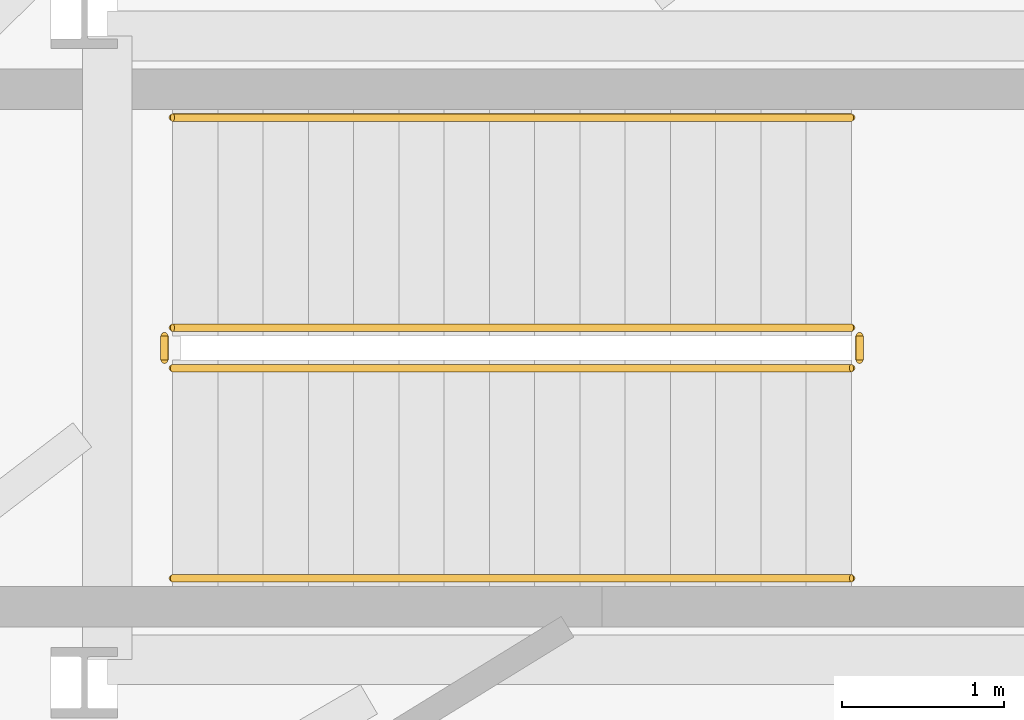
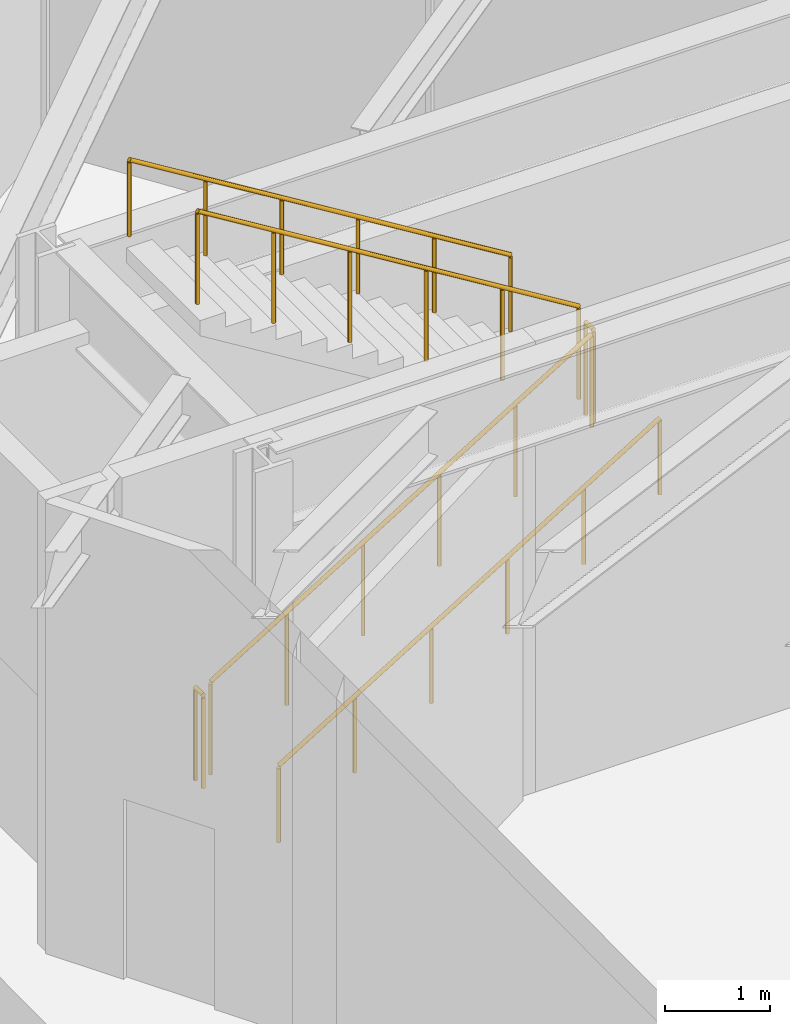
# One storey, part 30 of 30: 6 railings.
"""IFC4 building model written with IfcOpenShell, lengths in metres."""

import ifcopenshell
import ifcopenshell.guid

model = None  # the IFC model being written
_history = None  # IfcOwnerHistory: only IFC2X3 demands one
_inside = {}  # id of a spatial element -> (the spatial element, [elements in it])
_under = {}  # id of a project, library or spatial element -> (it, [spatial elements below it])
_declared = {}  # id of a project -> (the project, [libraries it declares])
_typed = {}  # id of a type object -> (the type object, [elements of that type])
_made_of = {}  # id of a material, layer set ... -> (it, [elements and type objects made of it])


def new_model(schema):
    """Start an empty IFC model of exactly this schema.

    Asked for "IFC4X3", IfcOpenShell would pick the latest addendum, in which some entities
    have other attributes; the version numbers below select the first issue.
    IFC2X3 requires an IfcOwnerHistory on every rooted entity: one is made here for all.
    """
    global model, _history
    if schema == "IFC4X3":
        model = ifcopenshell.file(schema_version=(4, 3, 0, 0))
    else:
        model = ifcopenshell.file(schema=schema)
    _inside.clear()
    _under.clear()
    _declared.clear()
    _typed.clear()
    _made_of.clear()
    _history = None
    if model.schema == "IFC2X3":
        org = make("IfcOrganization", Name="unknown")
        user = make(
            "IfcPersonAndOrganization",
            ThePerson=make("IfcPerson", FamilyName="unknown"),
            TheOrganization=org,
        )
        app = make(
            "IfcApplication",
            ApplicationDeveloper=org,
            Version="unknown",
            ApplicationFullName="unknown",
            ApplicationIdentifier="unknown",
        )
        _history = make(
            "IfcOwnerHistory",
            OwningUser=user,
            OwningApplication=app,
            ChangeAction="ADDED",
            CreationDate=0,
        )
    return model


def make(cls, **values):
    """One entity of the class cls with the attributes given. An attribute that is None is left unset."""
    return model.create_entity(
        cls, **{name: value for name, value in values.items() if value is not None}
    )


def rooted(cls, **values):
    """An entity with a GlobalId (a new one), such as an element, a storey or a relation."""
    return make(cls, GlobalId=ifcopenshell.guid.new(), OwnerHistory=_history, **values)


def si_unit(unit_type, name, prefix=None):
    """IfcSIUnit, for example si_unit("LENGTHUNIT", "METRE", prefix="MILLI")."""
    return make("IfcSIUnit", UnitType=unit_type, Prefix=prefix, Name=name)


def assignment(units):
    """IfcUnitAssignment: the units of a project."""
    return None if units is None else make("IfcUnitAssignment", Units=units)


def point(xyz):
    """IfcCartesianPoint."""
    return None if xyz is None else make("IfcCartesianPoint", Coordinates=xyz)


def direction(xyz):
    """IfcDirection."""
    return None if xyz is None else make("IfcDirection", DirectionRatios=xyz)


def frame(location, z_axis=None, x_axis=None):
    """IfcAxis2Placement3D, a coordinate frame: its origin and axes. An axis left out is left unset."""
    return make(
        "IfcAxis2Placement3D",
        Location=point(location),
        Axis=direction(z_axis),
        RefDirection=direction(x_axis),
    )


def frame_2d(location, x_axis=None):
    """IfcAxis2Placement2D, a coordinate frame in the plane: its origin and x axis."""
    return make(
        "IfcAxis2Placement2D", Location=point(location), RefDirection=direction(x_axis)
    )


def origin():
    """The frame at (0, 0, 0) with its axes left unset."""
    return frame((0.0, 0.0, 0.0))


def origin_2d():
    """The frame at (0, 0) in the plane with its x axis left unset."""
    return frame_2d((0.0, 0.0))


def place(relative_to, where):
    """IfcLocalPlacement: puts the frame where relative to a parent placement (None: the world)."""
    return make(
        "IfcLocalPlacement", PlacementRelTo=relative_to, RelativePlacement=where
    )


def context(
    kind, dimensions, precision=None, world=None, true_north=None, identifier=None
):
    """IfcGeometricRepresentationContext, for example the 3D "Model" context."""
    return make(
        "IfcGeometricRepresentationContext",
        ContextIdentifier=identifier,
        ContextType=kind,
        CoordinateSpaceDimension=dimensions,
        Precision=precision,
        WorldCoordinateSystem=world,
        TrueNorth=true_north,
    )


def subcontext(parent, identifier, kind, view, scale=None):
    """IfcGeometricRepresentationSubContext, for example "Body" below "Model"."""
    return make(
        "IfcGeometricRepresentationSubContext",
        ContextIdentifier=identifier,
        ContextType=kind,
        ParentContext=parent,
        TargetScale=scale,
        TargetView=view,
    )


def project(units=None, contexts=None):
    """IfcProject with its units and contexts."""
    return rooted(
        "IfcProject",
        Name="project",
        RepresentationContexts=contexts,
        UnitsInContext=assignment(units),
    )


def spatial(cls, under=None, at=None, **own):
    """A site, building, storey or space (cls), placed at a placement, below another one or the project."""
    s = rooted(cls, ObjectPlacement=at, **own)
    if under is not None:
        _under.setdefault(under.id(), (under, []))[1].append(s)
    return s


def profile(cls, at=None, kind="AREA", **sizes):
    """A parametric profile (cls). Its sizes go by their IFC names, for example OverallWidth=200.0."""
    return make(cls, ProfileType=kind, Position=at, **sizes)


def circle(**sizes):
    """IfcCircleProfileDef."""
    return profile("IfcCircleProfileDef", **sizes)


def extrude(swept, where, along, depth):
    """IfcExtrudedAreaSolid: the profile swept, set in the frame where, extruded along a direction by depth."""
    return make(
        "IfcExtrudedAreaSolid",
        SweptArea=swept,
        Position=where,
        ExtrudedDirection=direction(along),
        Depth=depth,
    )


def shape(context_of_items, identifier, shape_type, items):
    """IfcShapeRepresentation: the items that make up one representation, for example the "Body"."""
    return make(
        "IfcShapeRepresentation",
        ContextOfItems=context_of_items,
        RepresentationIdentifier=identifier,
        RepresentationType=shape_type,
        Items=items,
    )


def material(Name=None, Category=None):
    """IfcMaterial."""
    return make("IfcMaterial", Name=Name, Category=Category)


def made_of(thing, what):
    """Note that an element or type object is made of a material, layer set ...; save() writes the relation."""
    if what is not None:
        _made_of.setdefault(what.id(), (what, []))[1].append(thing)
    return thing


def type_object(cls, material=None, **own):
    """A type object (cls), such as IfcWallType, which elements share."""
    return made_of(rooted(cls, **own), material)


def element(
    cls,
    number,
    at=None,
    inside=None,
    cuts=None,
    type_object=None,
    material=None,
    context=None,
    identifier="Body",
    shape_type=None,
    held_by="IfcProductDefinitionShape",
    body=None,
    shapes=None,
    **own,
):
    """One element of the class cls, such as IfcWall. Its Tag is "e" and its number.

    at: its placement. inside: the storey or other place that contains it. cuts: it is an
    opening in that element (IfcRelVoidsElement). A single representation is given by context,
    identifier, shape_type and body (its items); several are given by shapes. held_by: the class
    of the entity that holds the representations. save() writes the other relations.
    """
    e = rooted(cls, Tag="e%d" % number, ObjectPlacement=at, **own)
    if body is not None:
        shapes = [shape(context, identifier, shape_type, body)]
    if shapes is not None:
        e.Representation = make(held_by, Representations=shapes)
    if inside is not None:
        _inside.setdefault(inside.id(), (inside, []))[1].append(e)
    if cuts is not None:
        rooted(
            "IfcRelVoidsElement", RelatingBuildingElement=cuts, RelatedOpeningElement=e
        )
    if type_object is not None:
        _typed.setdefault(type_object.id(), (type_object, []))[1].append(e)
    return made_of(e, material)


def aggregate(whole, parts):
    """IfcRelAggregates: a whole, such as a stair, and the parts it consists of."""
    return rooted("IfcRelAggregates", RelatingObject=whole, RelatedObjects=parts)


def save(model, path):
    """Write the relations noted so far, then the file.

    IfcRelAggregates (storeys below a building ...), IfcRelContainedInSpatialStructure (elements
    in a storey), IfcRelDefinesByType, IfcRelAssociatesMaterial and IfcRelDeclares: one each for
    every whole, place, type object, material and project.
    """
    for whole, parts in _under.values():
        aggregate(whole, parts)
    for where, things in _inside.values():
        rooted(
            "IfcRelContainedInSpatialStructure",
            RelatedElements=things,
            RelatingStructure=where,
        )
    for kind, things in _typed.values():
        rooted("IfcRelDefinesByType", RelatedObjects=things, RelatingType=kind)
    for what, things in _made_of.values():
        rooted("IfcRelAssociatesMaterial", RelatedObjects=things, RelatingMaterial=what)
    for by, libraries in _declared.values():
        rooted("IfcRelDeclares", RelatingContext=by, RelatedDefinitions=libraries)
    model.write(path)


model = new_model("IFC4")

# Units and contexts
model_context = context("Model", 3, precision=1e-05, world=origin(), true_north=direction((0.0, 1.0)))
body_context = subcontext(model_context, "Body", "Model", "MODEL_VIEW")
ifc_project = project(units=[si_unit("LENGTHUNIT", "METRE"), si_unit("AREAUNIT", "SQUARE_METRE"), si_unit("VOLUMEUNIT", "CUBIC_METRE"), si_unit("PLANEANGLEUNIT", "RADIAN"), si_unit("MASSUNIT", "GRAM", prefix="KILO")], contexts=[model_context])

# Site, building, storey
site_placement = place(None, origin())
site = spatial("IfcSite", under=ifc_project, at=site_placement, CompositionType="ELEMENT")
building_placement = place(site_placement, origin())
building = spatial("IfcBuilding", under=site, at=building_placement, Name="Tarnside Tower", CompositionType="ELEMENT")
storey_placement = place(building_placement, frame((0.0, 0.0, 20.5)))
storey = spatial("IfcBuildingStorey", under=building, at=storey_placement, Name="L03", CompositionType="ELEMENT", Elevation=20.5)

# Railings
ifc_material = material(Name="Stainless steel", Category="steel")
railing_type_1 = type_object("IfcRailingType", Name="Podium stair guard 1100", PredefinedType="GUARDRAIL", material=ifc_material)
railing_1_placement = place(storey_placement, frame((15.7900390625, 12.824951171875, 0.171875)))
element("IfcRailing", 1, at=railing_1_placement, inside=storey, type_object=railing_type_1, Name="L03 PS4 stair guard 1", PredefinedType="GUARDRAIL", context=body_context, shape_type="SweptSolid", body=[
    extrude(circle(Radius=0.02392578125, at=origin_2d()), frame((0.0, 0.0, 1.076171875), z_axis=(0.852242915053, 0.0, 0.523146264196), x_axis=(0.0, 1.0, 0.0)), (0.0, 0.0, 1.0), 4.92822265625),
    extrude(circle(Radius=0.02099609375, at=origin_2d()), origin(), (0.0, 0.0, 1.0), 1.052001953125),
    extrude(circle(Radius=0.02099609375, at=origin_2d()), frame((0.840087890625, 0.0, 0.515625)), (0.0, 0.0, 1.0), 1.052001953125),
    extrude(circle(Radius=0.02099609375, at=origin_2d()), frame((1.679931640625, 0.0, 1.03125)), (0.0, 0.0, 1.0), 1.052001953125),
    extrude(circle(Radius=0.02099609375, at=origin_2d()), frame((2.52001953125, 0.0, 1.546875)), (0.0, 0.0, 1.0), 1.052001953125),
    extrude(circle(Radius=0.02099609375, at=origin_2d()), frame((3.35986328125, 0.0, 2.0625)), (0.0, 0.0, 1.0), 1.052001953125),
    extrude(circle(Radius=0.02099609375, at=origin_2d()), frame((4.199951171875, 0.0, 2.578125)), (0.0, 0.0, 1.0), 1.052001953125),
])
railing_2_placement = place(storey_placement, frame((20.0400390625, 12.875, 2.75)))
element("IfcRailing", 2, at=railing_2_placement, inside=storey, type_object=railing_type_1, Name="L03 PS4 stair guard 2", PredefinedType="GUARDRAIL", context=body_context, shape_type="SweptSolid", body=[
    extrude(circle(Radius=0.02392578125, at=origin_2d()), frame((0.0, 0.0, 1.076171875), z_axis=(0.0, 1.0, 0.0), x_axis=(-1.0, 0.0, 0.0)), (0.0, 0.0, 1.0), 0.14990234375),
    extrude(circle(Radius=0.02099609375, at=origin_2d()), origin(), (0.0, 0.0, 1.0), 1.052001953125),
    extrude(circle(Radius=0.02099609375, at=origin_2d()), frame((0.0, 0.14990234375, 0.0)), (0.0, 0.0, 1.0), 1.052001953125),
])
railing_3_placement = place(storey_placement, frame((19.989990234375, 13.074951171875, 2.921875)))
element("IfcRailing", 3, at=railing_3_placement, inside=storey, type_object=railing_type_1, Name="L03 PS4 stair guard 3", PredefinedType="GUARDRAIL", context=body_context, shape_type="SweptSolid", body=[
    extrude(circle(Radius=0.02392578125, at=origin_2d()), frame((0.0, 0.0, 1.076171875), z_axis=(-0.852242915053, 0.0, 0.523146264196), x_axis=(0.0, -1.0, 0.0)), (0.0, 0.0, 1.0), 4.92822265625),
    extrude(circle(Radius=0.02099609375, at=origin_2d()), origin(), (0.0, 0.0, 1.0), 1.052001953125),
    extrude(circle(Radius=0.02099609375, at=origin_2d()), frame((-0.840087890625, 0.0, 0.515625)), (0.0, 0.0, 1.0), 1.052001953125),
    extrude(circle(Radius=0.02099609375, at=origin_2d()), frame((-1.679931640625, 0.0, 1.03125)), (0.0, 0.0, 1.0), 1.052001953125),
    extrude(circle(Radius=0.02099609375, at=origin_2d()), frame((-2.52001953125, 0.0, 1.546875)), (0.0, 0.0, 1.0), 1.052001953125),
    extrude(circle(Radius=0.02099609375, at=origin_2d()), frame((-3.35986328125, 0.0, 2.0625)), (0.0, 0.0, 1.0), 1.052001953125),
    extrude(circle(Radius=0.02099609375, at=origin_2d()), frame((-4.199951171875, 0.0, 2.578125)), (0.0, 0.0, 1.0), 1.052001953125),
])
railing_4_placement = place(storey_placement, frame((15.739990234375, 12.875, 0.0)))
element("IfcRailing", 4, at=railing_4_placement, inside=storey, type_object=railing_type_1, Name="L03 PS4 stair guard 4", PredefinedType="GUARDRAIL", context=body_context, shape_type="SweptSolid", body=[
    extrude(circle(Radius=0.02392578125, at=origin_2d()), frame((0.0, 0.0, 1.076171875), z_axis=(0.0, 1.0, 0.0), x_axis=(-1.0, 0.0, 0.0)), (0.0, 0.0, 1.0), 0.14990234375),
    extrude(circle(Radius=0.02099609375, at=origin_2d()), origin(), (0.0, 0.0, 1.0), 1.052001953125),
    extrude(circle(Radius=0.02099609375, at=origin_2d()), frame((0.0, 0.14990234375, 0.0)), (0.0, 0.0, 1.0), 1.052001953125),
])
railing_type_2 = type_object("IfcRailingType", Name="Podium stair handrail 900", PredefinedType="HANDRAIL", material=ifc_material)
railing_5_placement = place(storey_placement, frame((15.7900390625, 11.52490234375, 0.171875)))
element("IfcRailing", 5, at=railing_5_placement, inside=storey, type_object=railing_type_2, Name="L03 PS4 stair handrail 1", PredefinedType="HANDRAIL", context=body_context, shape_type="SweptSolid", body=[
    extrude(circle(Radius=0.02392578125, at=origin_2d()), frame((0.0, 0.0, 0.8857421875), z_axis=(0.852242915053, 0.0, 0.523146264196), x_axis=(0.0, 1.0, 0.0)), (0.0, 0.0, 1.0), 4.92822265625),
    extrude(circle(Radius=0.02099609375, at=origin_2d()), origin(), (0.0, 0.0, 1.0), 0.86181640625),
    extrude(circle(Radius=0.02099609375, at=origin_2d()), frame((0.840087890625, 0.0, 0.515625)), (0.0, 0.0, 1.0), 0.86181640625),
    extrude(circle(Radius=0.02099609375, at=origin_2d()), frame((1.679931640625, 0.0, 1.03125)), (0.0, 0.0, 1.0), 0.86181640625),
    extrude(circle(Radius=0.02099609375, at=origin_2d()), frame((2.52001953125, 0.0, 1.546875)), (0.0, 0.0, 1.0), 0.86181640625),
    extrude(circle(Radius=0.02099609375, at=origin_2d()), frame((3.35986328125, 0.0, 2.0625)), (0.0, 0.0, 1.0), 0.86181640625),
    extrude(circle(Radius=0.02099609375, at=origin_2d()), frame((4.199951171875, 0.0, 2.578125)), (0.0, 0.0, 1.0), 0.86181640625),
])
railing_6_placement = place(storey_placement, frame((19.989990234375, 14.375, 2.921875)))
element("IfcRailing", 6, at=railing_6_placement, inside=storey, type_object=railing_type_2, Name="L03 PS4 stair handrail 2", PredefinedType="HANDRAIL", context=body_context, shape_type="SweptSolid", body=[
    extrude(circle(Radius=0.02392578125, at=origin_2d()), frame((0.0, 0.0, 0.8857421875), z_axis=(-0.852242915053, 0.0, 0.523146264196), x_axis=(0.0, -1.0, 0.0)), (0.0, 0.0, 1.0), 4.92822265625),
    extrude(circle(Radius=0.02099609375, at=origin_2d()), origin(), (0.0, 0.0, 1.0), 0.86181640625),
    extrude(circle(Radius=0.02099609375, at=origin_2d()), frame((-0.840087890625, 0.0, 0.515625)), (0.0, 0.0, 1.0), 0.86181640625),
    extrude(circle(Radius=0.02099609375, at=origin_2d()), frame((-1.679931640625, 0.0, 1.03125)), (0.0, 0.0, 1.0), 0.86181640625),
    extrude(circle(Radius=0.02099609375, at=origin_2d()), frame((-2.52001953125, 0.0, 1.546875)), (0.0, 0.0, 1.0), 0.86181640625),
    extrude(circle(Radius=0.02099609375, at=origin_2d()), frame((-3.35986328125, 0.0, 2.0625)), (0.0, 0.0, 1.0), 0.86181640625),
    extrude(circle(Radius=0.02099609375, at=origin_2d()), frame((-4.199951171875, 0.0, 2.578125)), (0.0, 0.0, 1.0), 0.86181640625),
])

save(model, "model.ifc")
